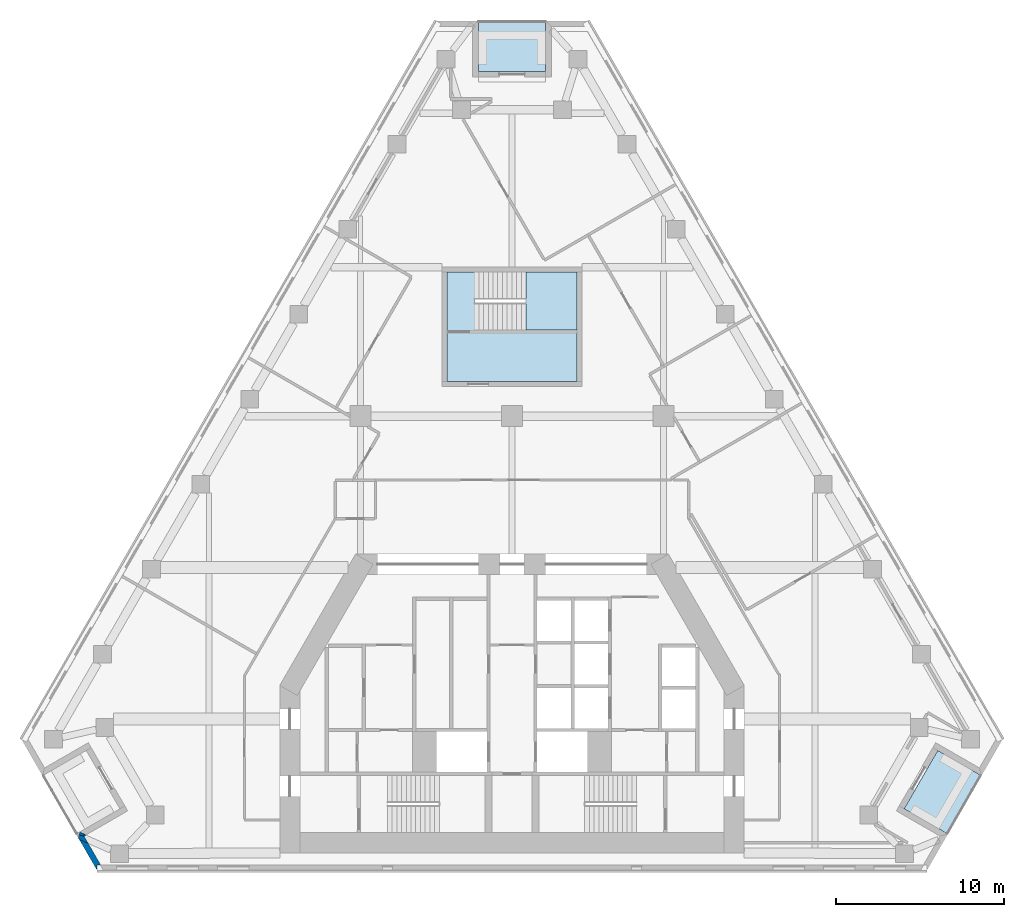
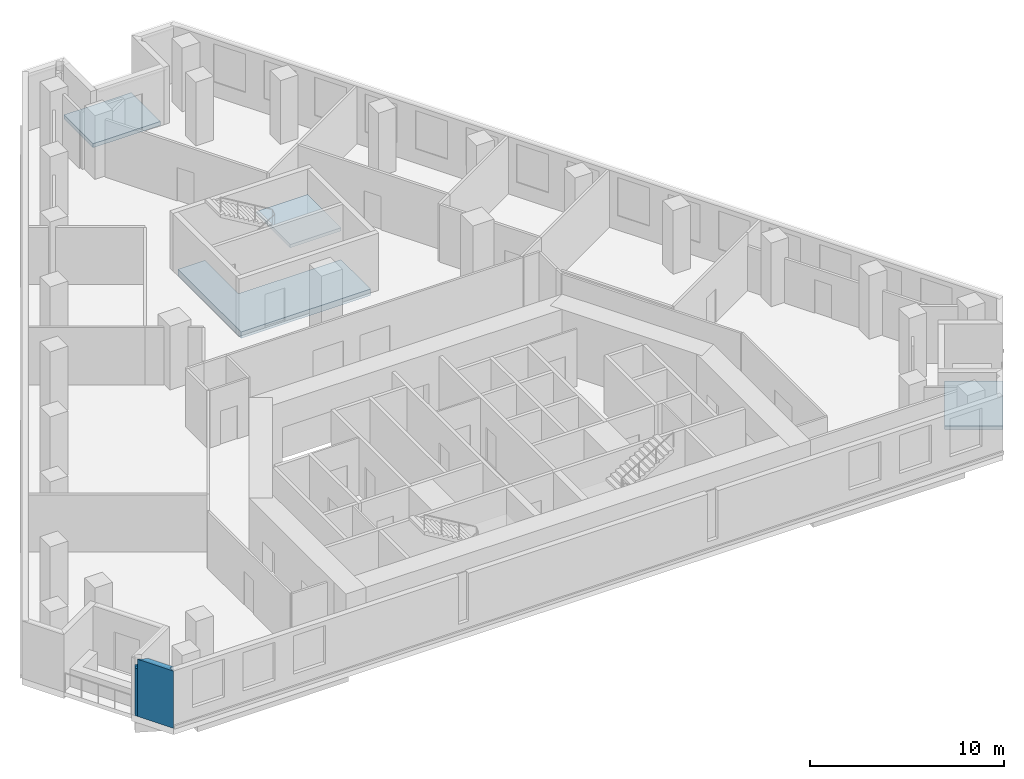
# One storey, part 2 of 9: 4 slabs, 3 walls, 1 element without a shape of its own.
"""IFC4 building model written with IfcOpenShell, lengths in metres."""

from ifc_helpers import new_model, si_unit, direction, frame, origin, place, context, subcontext, project, spatial, polyline, outline, extrude, material, layer, layer_set, type_object, element, aggregate, save


model = new_model("IFC4")

# Units and contexts
model_context = context("Model", 3, precision=1e-05, world=origin(), true_north=direction((0.0, 1.0)))
body_context = subcontext(model_context, "Body", "Model", "MODEL_VIEW")
ifc_project = project(units=[si_unit("LENGTHUNIT", "METRE"), si_unit("AREAUNIT", "SQUARE_METRE"), si_unit("VOLUMEUNIT", "CUBIC_METRE"), si_unit("PLANEANGLEUNIT", "RADIAN"), si_unit("MASSUNIT", "GRAM", prefix="KILO")], contexts=[model_context])

# Site, building, storey
site_placement = place(None, origin())
site = spatial("IfcSite", under=ifc_project, at=site_placement, CompositionType="ELEMENT")
building_placement = place(site_placement, origin())
building = spatial("IfcBuilding", under=site, at=building_placement, Name="Fogline Exchange Tower", CompositionType="ELEMENT")
storey_placement = place(building_placement, frame((0.0, 0.0, 150.89990234375)))
storey = spatial("IfcBuildingStorey", under=building, at=storey_placement, Name="L33", CompositionType="ELEMENT", Elevation=150.89990234375)

# Slabs
ifc_material_1 = material(Name="Concrete C40", Category="concrete")
ifc_layer_1 = layer(ifc_material_1, 0.25)
ifc_layer_set_1 = layer_set([ifc_layer_1], Name="DK1")
slab_type_1 = type_object("IfcSlabType", Name="DK1", PredefinedType="FLOOR", material=ifc_layer_set_1)
slab_1_placement = place(storey_placement, frame((0.0, 0.0, -0.25)))
element("IfcSlab", 1, at=slab_1_placement, inside=storey, type_object=slab_type_1, Name="Balcony L33 SE", PredefinedType="FLOOR", context=body_context, shape_type="SweptSolid", body=[
    extrude(outline(polyline([(25.8984375, 2.1650390625), (27.8984375, 5.629150390625), (25.30029296875, 7.129150390625), (23.30029296875, 3.6650390625), (25.8984375, 2.1650390625)])), origin(), (0.0, 0.0, 1.0), 0.25),
])
slab_2_placement = place(storey_placement, frame((0.0, 0.0, -0.25)))
element("IfcSlab", 2, at=slab_2_placement, inside=storey, type_object=slab_type_1, Name="Balcony L33 N", PredefinedType="FLOOR", context=body_context, shape_type="SweptSolid", body=[
    extrude(outline(polyline([(2.0, 50.48681640625), (-2.0, 50.48681640625), (-2.0, 47.48681640625), (2.0, 47.48681640625), (2.0, 50.48681640625)])), origin(), (0.0, 0.0, 1.0), 0.25),
])
ifc_layer_2 = layer(ifc_material_1, 0.39990234375)
ifc_layer_set_2 = layer_set([ifc_layer_2], Name="S03")
slab_type_2 = type_object("IfcSlabType", Name="S03", PredefinedType="FLOOR", material=ifc_layer_set_2)
slab_3_placement = place(storey_placement, frame((0.0, 0.0, -0.39990234375)))
element("IfcSlab", 3, at=slab_3_placement, inside=storey, type_object=slab_type_2, Name="Stair enclosure floor slab", PredefinedType="FLOOR", context=body_context, shape_type="SweptSolid", body=[
    extrude(outline(polyline([(3.85009765625, 29.056884765625), (-3.85009765625, 29.056884765625), (-3.85009765625, 35.556884765625), (-2.239990234375, 35.556884765625), (-2.239990234375, 32.10693359375), (3.85009765625, 32.10693359375), (3.85009765625, 29.056884765625)])), origin(), (0.0, 0.0, 1.0), 0.39990234375),
])

# Stair, slab
stair_type = type_object("IfcStairType", Name="STR24-1667", PredefinedType="HALF_TURN_STAIR", material=ifc_material_1)
stair_placement = place(storey_placement, origin())
stair = element("IfcStair", 4, at=stair_placement, inside=storey, type_object=stair_type, Name="Stair ST3", PredefinedType="HALF_TURN_STAIR")
ifc_layer_3 = layer(ifc_material_1, 0.199951171875)
ifc_layer_set_3 = layer_set([ifc_layer_3], Name="SL200")
slab_type_3 = type_object("IfcSlabType", Name="SL200", PredefinedType="LANDING", material=ifc_layer_set_3)
slab_4_placement = place(storey_placement, frame((0.0, 0.0, 1.800048828125)))
slab_4 = element("IfcSlab", 5, at=slab_4_placement, type_object=slab_type_3, Name="ST3 landing 1", PredefinedType="LANDING", context=body_context, shape_type="SweptSolid", body=[
    extrude(outline(polyline([(0.830078125, 32.10693359375), (3.85009765625, 32.10693359375), (3.85009765625, 35.556884765625), (0.830078125, 35.556884765625), (0.830078125, 32.10693359375)])), origin(), (0.0, 0.0, 1.0), 0.199951171875),
])
aggregate(stair, [slab_4])

# Walls
ifc_material_2 = material(Name="Brick masonry", Category="masonry")
ifc_layer_4 = layer(ifc_material_2, 0.340087890625)
ifc_layer_set_4 = layer_set([ifc_layer_4], Name="FW1")
wall_type = type_object("IfcWallType", Name="FW1", PredefinedType="SOLIDWALL", material=ifc_layer_set_4)
wall_1_placement = place(storey_placement, origin())
element("IfcWall", 6, at=wall_1_placement, inside=storey, type_object=wall_type, Name="Brick wall L33 SW-s2", PredefinedType="SOLIDWALL", context=body_context, shape_type="SweptSolid", body=[
    extrude(outline(polyline([(-25.433837890625, 2.0400390625), (-25.723388671875, 2.11767578125), (-25.659423828125, 2.260986328125), (-25.31640625, 2.10791015625), (-25.433837890625, 2.0400390625)])), origin(), (0.0, 0.0, 1.0), 3.0),
])
wall_2_placement = place(storey_placement, origin())
element("IfcWall", 7, at=wall_2_placement, inside=storey, type_object=wall_type, Name="Brick wall L33 SW-c2", PredefinedType="SOLIDWALL", context=body_context, shape_type="SweptSolid", body=[
    extrude(outline(polyline([(-25.7880859375, 1.972900390625), (-25.722900390625, 2.11865234375), (-25.43359375, 2.041015625), (-25.185546875, 1.611328125), (-25.71630859375, 1.848388671875), (-25.7880859375, 1.972900390625)])), origin(), (0.0, 0.0, 1.0), 3.0),
])
wall_3_placement = place(storey_placement, origin())
element("IfcWall", 8, at=wall_3_placement, inside=storey, type_object=wall_type, Name="Brick wall L33 SW-c2", PredefinedType="SOLIDWALL", context=body_context, shape_type="SweptSolid", body=[
    extrude(outline(polyline([(-24.64794921875, 0.33935546875), (-24.64794921875, -0.0009765625), (-24.6484375, -0.001220703125), (-25.71630859375, 1.848388671875), (-25.185546875, 1.611328125), (-24.451171875, 0.33935546875), (-24.64794921875, 0.33935546875)])), origin(), (0.0, 0.0, 1.0), 3.60009765625),
])

save(model, "model.ifc")
